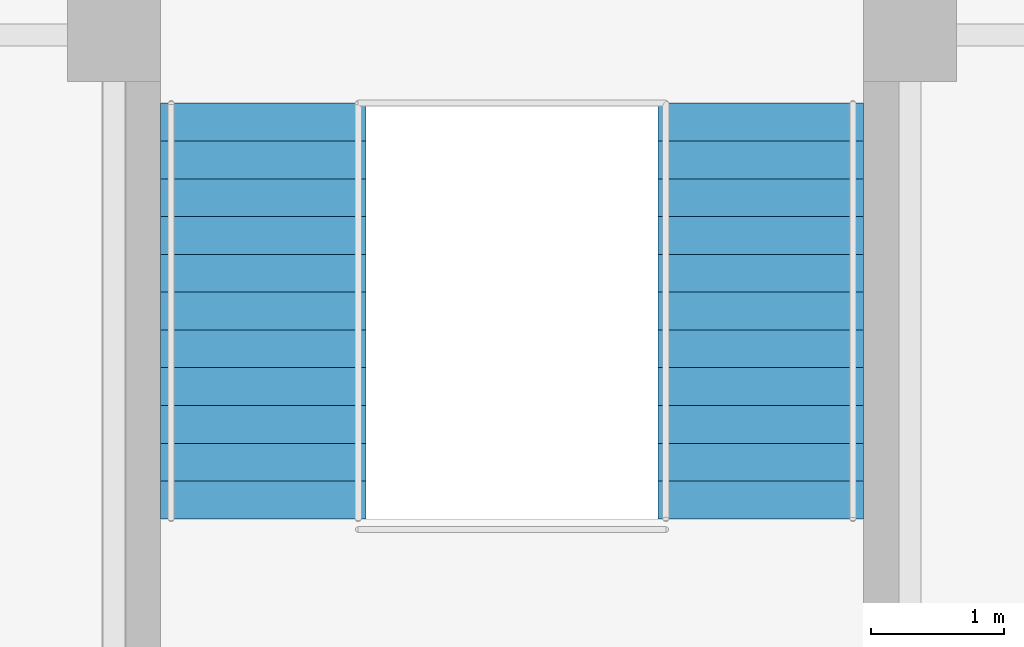
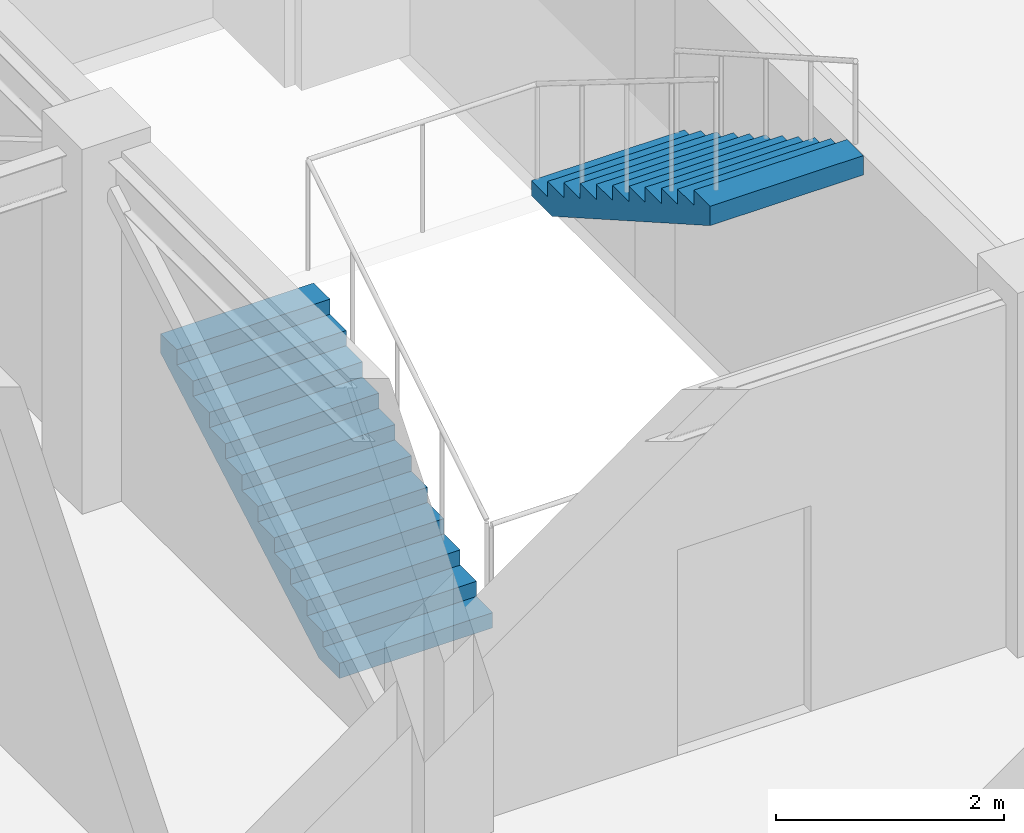
# One storey, part 12 of 13: 2 stair flights, 1 element without a shape of its own.
"""IFC4 building model written with IfcOpenShell, lengths in metres."""

from ifc_helpers import new_model, si_unit, direction, frame, origin, place, context, subcontext, project, spatial, polyline, outline, extrude, material, type_object, element, aggregate, save


model = new_model("IFC4")

# Units and contexts
model_context = context("Model", 3, precision=1e-05, world=origin(), true_north=direction((0.0, 1.0)))
body_context = subcontext(model_context, "Body", "Model", "MODEL_VIEW")
ifc_project = project(units=[si_unit("LENGTHUNIT", "METRE"), si_unit("AREAUNIT", "SQUARE_METRE"), si_unit("VOLUMEUNIT", "CUBIC_METRE"), si_unit("PLANEANGLEUNIT", "RADIAN"), si_unit("MASSUNIT", "GRAM", prefix="KILO")], contexts=[model_context])

# Site, building, storey
site_placement = place(None, origin())
site = spatial("IfcSite", under=ifc_project, at=site_placement, CompositionType="ELEMENT")
building_placement = place(site_placement, origin())
building = spatial("IfcBuilding", under=site, at=building_placement, Name="Zlatovratsky Civic Hall", CompositionType="ELEMENT")
storey_placement = place(building_placement, frame((0.0, 0.0, 48.300048828125)))
storey = spatial("IfcBuildingStorey", under=building, at=storey_placement, Name="L12", CompositionType="ELEMENT", Elevation=48.300048828125)

# Stair, stair flights
ifc_material = material(Name="Concrete C30/37 (B35)", Category="concrete")
stair_type = type_object("IfcStairType", Name="Stair_HALF_24R_1550W_04", PredefinedType="HALF_TURN_STAIR", material=ifc_material)
stair_placement = place(storey_placement, origin())
stair = element("IfcStair", 1, at=stair_placement, inside=storey, type_object=stair_type, Name="ST-032", PredefinedType="HALF_TURN_STAIR")
stair_flight_type = type_object("IfcStairFlightType", Name="StairFlight_12R_1550W_04", PredefinedType="STRAIGHT", material=ifc_material)
stair_flight_1_placement = place(storey_placement, frame((97.125, 86.35009765625, 0.0), z_axis=(0.0, 0.0, 1.0), x_axis=(0.0, 1.0, 0.0)))
stair_flight_1 = element("IfcStairFlight", 2, at=stair_flight_1_placement, type_object=stair_flight_type, Name="ST-032-F1", NumberOfRisers=12, NumberOfTreads=11, PredefinedType="STRAIGHT", RiserHeight=0.1625, TreadLength=0.285, context=body_context, shape_type="SweptSolid", body=[
    extrude(outline(polyline([(0.0, 0.0), (0.0, 0.16259765625), (0.284912109375, 0.16259765625), (0.284912109375, 0.324951171875), (0.570068359375, 0.324951171875), (0.570068359375, 0.487548828125), (0.85498046875, 0.487548828125), (0.85498046875, 0.64990234375), (1.139892578125, 0.64990234375), (1.139892578125, 0.8125), (1.425048828125, 0.8125), (1.425048828125, 0.97509765625), (1.7099609375, 0.97509765625), (1.7099609375, 1.137451171875), (1.9951171875, 1.137451171875), (1.9951171875, 1.300048828125), (2.280029296875, 1.300048828125), (2.280029296875, 1.46240234375), (2.56494140625, 1.46240234375), (2.56494140625, 1.625), (2.85009765625, 1.625), (2.85009765625, 1.78759765625), (3.135009765625, 1.78759765625), (3.135009765625, 1.949951171875), (3.135009765625, 1.580322265625), (0.36328125, 0.0), (0.0, 0.0)])), frame((0.0, 0.77490234375, 0.0), z_axis=(0.0, -1.0, 0.0), x_axis=(1.0, 0.0, 0.0)), (0.0, 0.0, 1.0), 1.550048828125),
])
stair_flight_2_placement = place(storey_placement, frame((100.875, 89.485107421875, 1.949951171875), z_axis=(0.0, 0.0, 1.0), x_axis=(0.0, -1.0, 0.0)))
stair_flight_2 = element("IfcStairFlight", 3, at=stair_flight_2_placement, type_object=stair_flight_type, Name="ST-032-F2", NumberOfRisers=12, NumberOfTreads=11, PredefinedType="STRAIGHT", RiserHeight=0.1625, TreadLength=0.285, context=body_context, shape_type="SweptSolid", body=[
    extrude(outline(polyline([(0.0, 0.0), (0.0, 0.16259765625), (0.284912109375, 0.16259765625), (0.284912109375, 0.324951171875), (0.570068359375, 0.324951171875), (0.570068359375, 0.487548828125), (0.85498046875, 0.487548828125), (0.85498046875, 0.64990234375), (1.139892578125, 0.64990234375), (1.139892578125, 0.8125), (1.425048828125, 0.8125), (1.425048828125, 0.97509765625), (1.7099609375, 0.97509765625), (1.7099609375, 1.137451171875), (1.9951171875, 1.137451171875), (1.9951171875, 1.300048828125), (2.280029296875, 1.300048828125), (2.280029296875, 1.46240234375), (2.56494140625, 1.46240234375), (2.56494140625, 1.625), (2.85009765625, 1.625), (2.85009765625, 1.78759765625), (3.135009765625, 1.78759765625), (3.135009765625, 1.949951171875), (3.135009765625, 1.580322265625), (0.36328125, 0.0), (0.0, 0.0)])), frame((0.0, 0.77490234375, 0.0), z_axis=(0.0, -1.0, 0.0), x_axis=(1.0, 0.0, 0.0)), (0.0, 0.0, 1.0), 1.550048828125),
])
aggregate(stair, [stair_flight_1, stair_flight_2])

save(model, "model.ifc")
